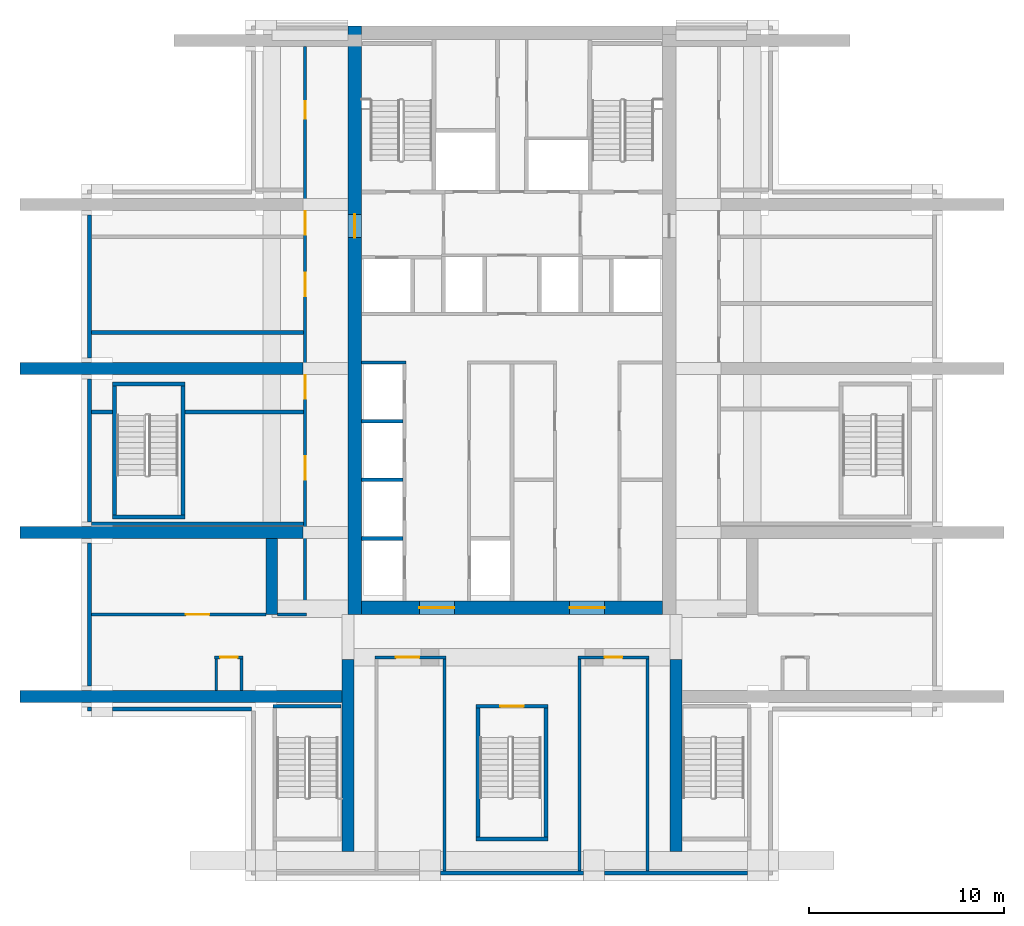
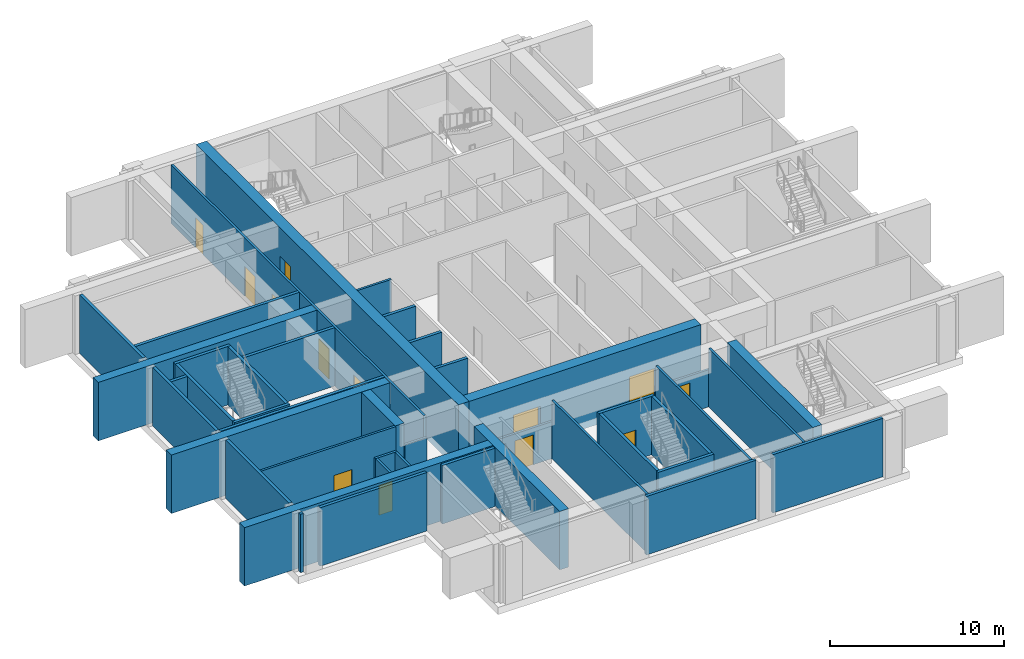
# One storey, part 2 of 10: 43 walls, 13 doors, 13 openings.
"""IFC4 building model written with IfcOpenShell, lengths in metres."""

from ifc_helpers import new_model, si_unit, direction, frame, frame_2d, origin, place, context, subcontext, project, spatial, rectangle, extrude, material, layer, layer_set, type_object, element, fill, save


model = new_model("IFC4")

# Units and contexts
model_context = context("Model", 3, precision=1e-05, world=origin(), true_north=direction((0.0, 1.0)))
body_context = subcontext(model_context, "Body", "Model", "MODEL_VIEW")
ifc_project = project(units=[si_unit("LENGTHUNIT", "METRE"), si_unit("AREAUNIT", "SQUARE_METRE"), si_unit("VOLUMEUNIT", "CUBIC_METRE"), si_unit("PLANEANGLEUNIT", "RADIAN"), si_unit("MASSUNIT", "GRAM", prefix="KILO")], contexts=[model_context])

# Site, building, storey
site_placement = place(None, origin())
site = spatial("IfcSite", under=ifc_project, at=site_placement, CompositionType="ELEMENT")
building_placement = place(site_placement, origin())
building = spatial("IfcBuilding", under=site, at=building_placement, Name="Vermilion Ogive Tower", CompositionType="ELEMENT")
storey_placement = place(building_placement, frame((0.0, 0.0, 171.050048828125)))
storey = spatial("IfcBuildingStorey", under=building, at=storey_placement, Name="L44", CompositionType="ELEMENT", Elevation=171.050048828125)

# Wall, openings, doors
ifc_material_1 = material(Name="Concrete B60", Category="concrete")
ifc_layer_1 = layer(ifc_material_1, 0.699951171875)
ifc_layer_set_1 = layer_set([ifc_layer_1], Name="Core wall 700 B60")
wall_type_1 = type_object("IfcWallType", Name="Core wall 700 B60", PredefinedType="SHEAR", material=ifc_layer_set_1)
wall_1_placement = place(storey_placement, frame((-7.699951171875, -8.050048828125, -0.5), z_axis=(0.0, 0.0, 1.0), x_axis=(1.0, 0.0, 0.0)))
wall_1 = element("IfcWall", 1, at=wall_1_placement, inside=storey, type_object=wall_type_1, Name="L44-CORE-S", PredefinedType="SHEAR", context=body_context, shape_type="SweptSolid", body=[
    extrude(rectangle(XDim=15.39990234375, YDim=0.699951171875, at=frame_2d((7.699951171875, 0.0))), origin(), (0.0, 0.0, 1.0), 4.599853515625),
])
opening_1_placement = place(wall_1_placement, frame((2.949951171875, 0.0, 0.5)))
opening_1 = element("IfcOpeningElement", 2, at=opening_1_placement, cuts=wall_1, Name="Opening DBE003", PredefinedType="OPENING", context=body_context, shape_type="SweptSolid", body=[
    extrude(rectangle(XDim=1.800048828125, YDim=2.10009765625, at=frame_2d((0.89990234375, 1.050048828125))), frame((0.0, 0.35986328125, 0.0), z_axis=(0.0, -1.0, 0.0), x_axis=(1.0, 0.0, 0.0)), (0.0, 0.0, 1.0), 0.719970703125),
])
opening_2_placement = place(wall_1_placement, frame((10.64990234375, 0.0, 0.5)))
opening_2 = element("IfcOpeningElement", 3, at=opening_2_placement, cuts=wall_1, Name="Opening DBE004", PredefinedType="OPENING", context=body_context, shape_type="SweptSolid", body=[
    extrude(rectangle(XDim=1.800048828125, YDim=2.10009765625, at=frame_2d((0.89990234375, 1.050048828125))), frame((0.0, 0.35986328125, 0.0), z_axis=(0.0, -1.0, 0.0), x_axis=(1.0, 0.0, 0.0)), (0.0, 0.0, 1.0), 0.719970703125),
])
ifc_material_2 = material(Name="Timber door leaf", Category="wood")
door_type_1 = type_object("IfcDoorType", Name="Core entry door 1800 x 2100 FD60S", OperationType="DOUBLE_DOOR_SINGLE_SWING", PredefinedType="DOOR", material=ifc_material_2)
door_1_placement = place(opening_1_placement, origin())
door_1 = element("IfcDoor", 4, at=door_1_placement, inside=storey, type_object=door_type_1, Name="L44-CK-XD1", OperationType="SINGLE_SWING_LEFT", OverallHeight=2.10009765625, OverallWidth=1.800048828125, PredefinedType="DOOR", context=body_context, shape_type="SweptSolid", body=[
    extrude(rectangle(XDim=1.800048828125, YDim=2.10009765625, at=frame_2d((0.89990234375, 1.050048828125))), frame((0.0, 0.02490234375, 0.0), z_axis=(0.0, -1.0, 0.0), x_axis=(1.0, 0.0, 0.0)), (0.0, 0.0, 1.0), 0.050048828125),
])
fill(opening_1, door_1)
door_2_placement = place(opening_2_placement, origin())
door_2 = element("IfcDoor", 5, at=door_2_placement, inside=storey, type_object=door_type_1, Name="L44-CK-XD2", OperationType="SINGLE_SWING_LEFT", OverallHeight=2.10009765625, OverallWidth=1.800048828125, PredefinedType="DOOR", context=body_context, shape_type="SweptSolid", body=[
    extrude(rectangle(XDim=1.800048828125, YDim=2.10009765625, at=frame_2d((0.89990234375, 1.050048828125))), frame((0.0, 0.02490234375, 0.0), z_axis=(0.0, -1.0, 0.0), x_axis=(1.0, 0.0, 0.0)), (0.0, 0.0, 1.0), 0.050048828125),
])
fill(opening_2, door_2)

# Walls
ifc_material_3 = material(Name="Concrete B60", Category="concrete")
ifc_layer_2 = layer(ifc_material_3, 0.60009765625)
ifc_layer_set_2 = layer_set([ifc_layer_2], Name="Outrigger wall 600 B60")
wall_type_2 = type_object("IfcWallType", Name="Outrigger wall 600 B60", PredefinedType="SHEAR", material=ifc_layer_set_2)
wall_2_placement = place(storey_placement, frame((-8.550048828125, -12.60009765625, 0.0), z_axis=(0.0, 0.0, 1.0), x_axis=(-1.0, 0.0, 0.0)))
element("IfcWall", 6, at=wall_2_placement, inside=storey, type_object=wall_type_2, Name="L44-OW-EWW-12.6", PredefinedType="SHEAR", context=body_context, shape_type="SweptSolid", body=[
    extrude(rectangle(XDim=16.64990234375, YDim=0.60009765625, at=frame_2d((8.324951171875, 0.0))), origin(), (0.0, 0.0, 1.0), 4.099853515625),
])
for number, where, z_axis, x_axis, name in (
    (7, (-10.699951171875, -4.199951171875, 0.0), (0.0, 0.0, 1.0), (-1.0, 0.0, 0.0), "L44-OW-EWW-4.2"),
    (8, (-10.699951171875, 4.199951171875, 0.0), (0.0, 0.0, 1.0), (-1.0, 0.0, 0.0), "L44-OW-EWW+4.2"),
):
    element("IfcWall", number, at=place(storey_placement, frame(where, z_axis=z_axis, x_axis=x_axis)), inside=storey, type_object=wall_type_2, Name=name, PredefinedType="SHEAR", context=body_context, shape_type="SweptSolid", body=[
        extrude(rectangle(XDim=14.5, YDim=0.60009765625, at=frame_2d((7.25, 0.0))), origin(), (0.0, 0.0, 1.0), 4.099853515625),
    ])

# Wall, opening, door
ifc_material_4 = material(Name="Gypsum board partition on steel studs", Category="steel")
ifc_layer_3 = layer(ifc_material_4, 0.14990234375)
ifc_layer_set_3 = layer_set([ifc_layer_3], Name="Partition 150 corridor")
wall_type_3 = type_object("IfcWallType", Name="Partition 150 corridor", PredefinedType="PARTITIONING", material=ifc_layer_set_3)
wall_3_placement = place(storey_placement, frame((-15.22509765625, -10.60009765625, 0.0), z_axis=(0.0, 0.0, 1.0), x_axis=(1.0, 0.0, 0.0)))
wall_3 = element("IfcWall", 9, at=wall_3_placement, inside=storey, type_object=wall_type_3, Name="L44-FS-W-W001", PredefinedType="PARTITIONING", context=body_context, shape_type="SweptSolid", body=[
    extrude(rectangle(XDim=1.4501953125, YDim=0.14990234375, at=frame_2d((0.72509765625, 0.0))), origin(), (0.0, 0.0, 1.0), 4.099853515625),
])
opening_3_placement = place(wall_3_placement, frame((0.275146484375, 0.0, 0.0)))
opening_3 = element("IfcOpeningElement", 10, at=opening_3_placement, cuts=wall_3, Name="Opening L44S012", PredefinedType="OPENING", context=body_context, shape_type="SweptSolid", body=[
    extrude(rectangle(XDim=0.89990234375, YDim=2.10009765625, at=frame_2d((0.449951171875, 1.050048828125))), frame((0.0, 0.0849609375, 0.0), z_axis=(0.0, -1.0, 0.0), x_axis=(1.0, 0.0, 0.0)), (0.0, 0.0, 1.0), 0.169921875),
])
ifc_material_5 = material(Name="Timber door leaf", Category="wood")
door_type_2 = type_object("IfcDoorType", Name="Room door 900 x 2100 FD30", OperationType="SINGLE_SWING_LEFT", PredefinedType="DOOR", material=ifc_material_5)
door_3_placement = place(opening_3_placement, origin())
door_3 = element("IfcDoor", 11, at=door_3_placement, inside=storey, type_object=door_type_2, Name="L44-FS-D-D012", OperationType="SINGLE_SWING_RIGHT", OverallHeight=2.10009765625, OverallWidth=0.89990234375, PredefinedType="DOOR", context=body_context, shape_type="SweptSolid", body=[
    extrude(rectangle(XDim=0.89990234375, YDim=2.10009765625, at=frame_2d((0.449951171875, 1.050048828125))), frame((0.0, 0.02490234375, 0.0), z_axis=(0.0, -1.0, 0.0), x_axis=(1.0, 0.0, 0.0)), (0.0, 0.0, 1.0), 0.050048828125),
])
fill(opening_3, door_3)

wall_4_placement = place(storey_placement, frame((-7.02490234375, -10.60009765625, 0.0), z_axis=(0.0, 0.0, 1.0), x_axis=(1.0, 0.0, 0.0)))
wall_4 = element("IfcWall", 12, at=wall_4_placement, inside=storey, type_object=wall_type_3, Name="L44-FS-W-W002", PredefinedType="PARTITIONING", context=body_context, shape_type="SweptSolid", body=[
    extrude(rectangle(XDim=3.64990234375, YDim=0.14990234375, at=frame_2d((1.824951171875, 0.0))), origin(), (0.0, 0.0, 1.0), 2.599853515625),
])
opening_4_placement = place(wall_4_placement, frame((1.074951171875, 0.0, 0.0)))
opening_4 = element("IfcOpeningElement", 13, at=opening_4_placement, cuts=wall_4, Name="Opening L44S011", PredefinedType="OPENING", context=body_context, shape_type="SweptSolid", body=[
    extrude(rectangle(XDim=1.199951171875, YDim=2.10009765625, at=frame_2d((0.60009765625, 1.050048828125))), frame((0.0, 0.0849609375, 0.0), z_axis=(0.0, -1.0, 0.0), x_axis=(1.0, 0.0, 0.0)), (0.0, 0.0, 1.0), 0.169921875),
])
ifc_material_6 = material(Name="Timber door leaf", Category="wood")
door_type_3 = type_object("IfcDoorType", Name="Room door 1200 x 2100 FD30", OperationType="SINGLE_SWING_LEFT", PredefinedType="DOOR", material=ifc_material_6)
door_4_placement = place(opening_4_placement, origin())
door_4 = element("IfcDoor", 14, at=door_4_placement, inside=storey, type_object=door_type_3, Name="L44-FS-D-D011", OperationType="SINGLE_SWING_LEFT", OverallHeight=2.10009765625, OverallWidth=1.199951171875, PredefinedType="DOOR", context=body_context, shape_type="SweptSolid", body=[
    extrude(rectangle(XDim=1.199951171875, YDim=2.10009765625, at=frame_2d((0.60009765625, 1.050048828125))), frame((0.0, 0.02490234375, 0.0), z_axis=(0.0, -1.0, 0.0), x_axis=(1.0, 0.0, 0.0)), (0.0, 0.0, 1.0), 0.050048828125),
])
fill(opening_4, door_4)

wall_5_placement = place(storey_placement, frame((3.375, -10.60009765625, 0.0), z_axis=(0.0, 0.0, 1.0), x_axis=(1.0, 0.0, 0.0)))
wall_5 = element("IfcWall", 15, at=wall_5_placement, inside=storey, type_object=wall_type_3, Name="L44-FS-W-W003", PredefinedType="PARTITIONING", context=body_context, shape_type="SweptSolid", body=[
    extrude(rectangle(XDim=3.64990234375, YDim=0.14990234375, at=frame_2d((1.824951171875, 0.0))), origin(), (0.0, 0.0, 1.0), 2.599853515625),
])
opening_5_placement = place(wall_5_placement, frame((1.375, 0.0, 0.0)))
opening_5 = element("IfcOpeningElement", 16, at=opening_5_placement, cuts=wall_5, Name="Opening L44S014", PredefinedType="OPENING", context=body_context, shape_type="SweptSolid", body=[
    extrude(rectangle(XDim=0.89990234375, YDim=2.10009765625, at=frame_2d((0.449951171875, 1.050048828125))), frame((0.0, 0.0849609375, 0.0), z_axis=(0.0, -1.0, 0.0), x_axis=(1.0, 0.0, 0.0)), (0.0, 0.0, 1.0), 0.169921875),
])
door_5_placement = place(opening_5_placement, origin())
door_5 = element("IfcDoor", 17, at=door_5_placement, inside=storey, type_object=door_type_2, Name="L44-FS-D-D014", OperationType="SINGLE_SWING_RIGHT", OverallHeight=2.10009765625, OverallWidth=0.89990234375, PredefinedType="DOOR", context=body_context, shape_type="SweptSolid", body=[
    extrude(rectangle(XDim=0.89990234375, YDim=2.10009765625, at=frame_2d((0.449951171875, 1.050048828125))), frame((0.0, 0.02490234375, 0.0), z_axis=(0.0, -1.0, 0.0), x_axis=(1.0, 0.0, 0.0)), (0.0, 0.0, 1.0), 0.050048828125),
])
fill(opening_5, door_5)

wall_6_placement = place(storey_placement, frame((-21.550048828125, -8.39990234375, 0.0), z_axis=(0.0, 0.0, 1.0), x_axis=(1.0, 0.0, 0.0)))
wall_6 = element("IfcWall", 18, at=wall_6_placement, inside=storey, type_object=wall_type_3, Name="L44-FS-W-W005a", PredefinedType="PARTITIONING", context=body_context, shape_type="SweptSolid", body=[
    extrude(rectangle(XDim=8.948974609375, YDim=0.14990234375, at=frame_2d((4.474609375, 0.0))), origin(), (0.0, 0.0, 1.0), 4.099853515625),
])
opening_6_placement = place(wall_6_placement, frame((4.85009765625, 0.0, 0.0)))
opening_6 = element("IfcOpeningElement", 19, at=opening_6_placement, cuts=wall_6, Name="Opening L44S001", PredefinedType="OPENING", context=body_context, shape_type="SweptSolid", body=[
    extrude(rectangle(XDim=1.199951171875, YDim=2.10009765625, at=frame_2d((0.60009765625, 1.050048828125))), frame((0.0, 0.0849609375, 0.0), z_axis=(0.0, -1.0, 0.0), x_axis=(1.0, 0.0, 0.0)), (0.0, 0.0, 1.0), 0.169921875),
])
ifc_material_7 = material(Name="Timber door leaf", Category="wood")
door_type_4 = type_object("IfcDoorType", Name="Fire door 1200 x 2100 FD30", OperationType="SINGLE_SWING_LEFT", PredefinedType="DOOR", material=ifc_material_7)
door_6_placement = place(opening_6_placement, origin())
door_6 = element("IfcDoor", 20, at=door_6_placement, inside=storey, type_object=door_type_4, Name="L44-FS-D-D001", OperationType="SINGLE_SWING_LEFT", OverallHeight=2.10009765625, OverallWidth=1.199951171875, PredefinedType="DOOR", context=body_context, shape_type="SweptSolid", body=[
    extrude(rectangle(XDim=1.199951171875, YDim=2.10009765625, at=frame_2d((0.60009765625, 1.050048828125))), frame((0.0, 0.02490234375, 0.0), z_axis=(0.0, -1.0, 0.0), x_axis=(1.0, 0.0, 0.0)), (0.0, 0.0, 1.0), 0.050048828125),
])
fill(opening_6, door_6)

# Walls
wall_7_placement = place(storey_placement, frame((-11.9990234375, -8.39990234375, 0.0), z_axis=(0.0, 0.0, 1.0), x_axis=(1.0, 0.0, 0.0)))
element("IfcWall", 21, at=wall_7_placement, inside=storey, type_object=wall_type_3, Name="L44-FS-W-W005b", PredefinedType="PARTITIONING", context=body_context, shape_type="SweptSolid", body=[
    extrude(rectangle(XDim=1.47412109375, YDim=0.14990234375, at=frame_2d((0.737060546875, 0.0))), origin(), (0.0, 0.0, 1.0), 2.599853515625),
])
for number, where, z_axis, x_axis, name in (
    (22, (-15.14990234375, -12.299072265625, 0.0), (0.0, 0.0, 1.0), (0.0, 1.0, 0.0), "L44-FS-W-W019"),
    (23, (-13.85009765625, -12.299072265625, 0.0), (0.0, 0.0, 1.0), (0.0, 1.0, 0.0), "L44-FS-W-W020"),
):
    element("IfcWall", number, at=place(storey_placement, frame(where, z_axis=z_axis, x_axis=x_axis)), inside=storey, type_object=wall_type_3, Name=name, PredefinedType="PARTITIONING", context=body_context, shape_type="SweptSolid", body=[
        extrude(rectangle(XDim=1.6240234375, YDim=0.14990234375, at=frame_2d((0.81201171875, 0.0))), origin(), (0.0, 0.0, 1.0), 4.099853515625),
    ])

# Wall, openings, doors
wall_8_placement = place(storey_placement, frame((-10.60009765625, -8.324951171875, 0.0), z_axis=(0.0, 0.0, 1.0), x_axis=(0.0, 1.0, 0.0)))
wall_8 = element("IfcWall", 24, at=wall_8_placement, inside=storey, type_object=wall_type_3, Name="L44-FS-W-W021", PredefinedType="PARTITIONING", context=body_context, shape_type="SweptSolid", body=[
    extrude(rectangle(XDim=29.02392578125, YDim=0.14990234375, at=frame_2d((14.511962890625, 0.0))), origin(), (0.0, 0.0, 1.0), 4.099853515625),
])
opening_7_placement = place(wall_8_placement, frame((6.83349609375, 0.0, 0.0)))
opening_7 = element("IfcOpeningElement", 25, at=opening_7_placement, cuts=wall_8, Name="Opening L44S003", PredefinedType="OPENING", context=body_context, shape_type="SweptSolid", body=[
    extrude(rectangle(XDim=1.199951171875, YDim=2.10009765625, at=frame_2d((0.60009765625, 1.050048828125))), frame((0.0, 0.0849609375, 0.0), z_axis=(0.0, -1.0, 0.0), x_axis=(1.0, 0.0, 0.0)), (0.0, 0.0, 1.0), 0.169921875),
])
opening_8_placement = place(wall_8_placement, frame((10.9833984375, 0.0, 0.0)))
opening_8 = element("IfcOpeningElement", 26, at=opening_8_placement, cuts=wall_8, Name="Opening L44S004", PredefinedType="OPENING", context=body_context, shape_type="SweptSolid", body=[
    extrude(rectangle(XDim=1.199951171875, YDim=2.10009765625, at=frame_2d((0.60009765625, 1.050048828125))), frame((0.0, 0.0849609375, 0.0), z_axis=(0.0, -1.0, 0.0), x_axis=(1.0, 0.0, 0.0)), (0.0, 0.0, 1.0), 0.169921875),
])
opening_9_placement = place(wall_8_placement, frame((16.224853515625, 0.0, 0.0)))
opening_9 = element("IfcOpeningElement", 27, at=opening_9_placement, cuts=wall_8, Name="Opening L44S005", PredefinedType="OPENING", context=body_context, shape_type="SweptSolid", body=[
    extrude(rectangle(XDim=1.199951171875, YDim=2.10009765625, at=frame_2d((0.60009765625, 1.050048828125))), frame((0.0, 0.0849609375, 0.0), z_axis=(0.0, -1.0, 0.0), x_axis=(1.0, 0.0, 0.0)), (0.0, 0.0, 1.0), 0.169921875),
])
opening_10_placement = place(wall_8_placement, frame((19.375, 0.0, 0.0)))
opening_10 = element("IfcOpeningElement", 28, at=opening_10_placement, cuts=wall_8, Name="Opening L44S006", PredefinedType="OPENING", context=body_context, shape_type="SweptSolid", body=[
    extrude(rectangle(XDim=1.199951171875, YDim=2.10009765625, at=frame_2d((0.60009765625, 1.050048828125))), frame((0.0, 0.0849609375, 0.0), z_axis=(0.0, -1.0, 0.0), x_axis=(1.0, 0.0, 0.0)), (0.0, 0.0, 1.0), 0.169921875),
])
opening_11_placement = place(wall_8_placement, frame((25.324951171875, 0.0, 0.0)))
opening_11 = element("IfcOpeningElement", 29, at=opening_11_placement, cuts=wall_8, Name="Opening L44S013", PredefinedType="OPENING", context=body_context, shape_type="SweptSolid", body=[
    extrude(rectangle(XDim=0.89990234375, YDim=2.10009765625, at=frame_2d((0.449951171875, 1.050048828125))), frame((0.0, 0.0849609375, 0.0), z_axis=(0.0, -1.0, 0.0), x_axis=(1.0, 0.0, 0.0)), (0.0, 0.0, 1.0), 0.169921875),
])
door_7_placement = place(opening_7_placement, origin())
door_7 = element("IfcDoor", 30, at=door_7_placement, inside=storey, type_object=door_type_3, Name="L44-FS-D-D003", OperationType="SINGLE_SWING_LEFT", OverallHeight=2.10009765625, OverallWidth=1.199951171875, PredefinedType="DOOR", context=body_context, shape_type="SweptSolid", body=[
    extrude(rectangle(XDim=1.199951171875, YDim=2.10009765625, at=frame_2d((0.60009765625, 1.050048828125))), frame((0.0, 0.02490234375, 0.0), z_axis=(0.0, -1.0, 0.0), x_axis=(1.0, 0.0, 0.0)), (0.0, 0.0, 1.0), 0.050048828125),
])
fill(opening_7, door_7)
door_8_placement = place(opening_8_placement, origin())
door_8 = element("IfcDoor", 31, at=door_8_placement, inside=storey, type_object=door_type_3, Name="L44-FS-D-D004", OperationType="SINGLE_SWING_RIGHT", OverallHeight=2.10009765625, OverallWidth=1.199951171875, PredefinedType="DOOR", context=body_context, shape_type="SweptSolid", body=[
    extrude(rectangle(XDim=1.199951171875, YDim=2.10009765625, at=frame_2d((0.60009765625, 1.050048828125))), frame((0.0, 0.02490234375, 0.0), z_axis=(0.0, -1.0, 0.0), x_axis=(1.0, 0.0, 0.0)), (0.0, 0.0, 1.0), 0.050048828125),
])
fill(opening_8, door_8)
door_9_placement = place(opening_9_placement, origin())
door_9 = element("IfcDoor", 32, at=door_9_placement, inside=storey, type_object=door_type_3, Name="L44-FS-D-D005", OperationType="SINGLE_SWING_LEFT", OverallHeight=2.10009765625, OverallWidth=1.199951171875, PredefinedType="DOOR", context=body_context, shape_type="SweptSolid", body=[
    extrude(rectangle(XDim=1.199951171875, YDim=2.10009765625, at=frame_2d((0.60009765625, 1.050048828125))), frame((0.0, 0.02490234375, 0.0), z_axis=(0.0, -1.0, 0.0), x_axis=(1.0, 0.0, 0.0)), (0.0, 0.0, 1.0), 0.050048828125),
])
fill(opening_9, door_9)
door_10_placement = place(opening_10_placement, origin())
door_10 = element("IfcDoor", 33, at=door_10_placement, inside=storey, type_object=door_type_3, Name="L44-FS-D-D006", OperationType="SINGLE_SWING_LEFT", OverallHeight=2.10009765625, OverallWidth=1.199951171875, PredefinedType="DOOR", context=body_context, shape_type="SweptSolid", body=[
    extrude(rectangle(XDim=1.199951171875, YDim=2.10009765625, at=frame_2d((0.60009765625, 1.050048828125))), frame((0.0, 0.02490234375, 0.0), z_axis=(0.0, -1.0, 0.0), x_axis=(1.0, 0.0, 0.0)), (0.0, 0.0, 1.0), 0.050048828125),
])
fill(opening_10, door_10)
door_11_placement = place(opening_11_placement, origin())
door_11 = element("IfcDoor", 34, at=door_11_placement, inside=storey, type_object=door_type_2, Name="L44-FS-D-D013", OperationType="SINGLE_SWING_LEFT", OverallHeight=2.10009765625, OverallWidth=0.89990234375, PredefinedType="DOOR", context=body_context, shape_type="SweptSolid", body=[
    extrude(rectangle(XDim=0.89990234375, YDim=2.10009765625, at=frame_2d((0.449951171875, 1.050048828125))), frame((0.0, 0.02490234375, 0.0), z_axis=(0.0, -1.0, 0.0), x_axis=(1.0, 0.0, 0.0)), (0.0, 0.0, 1.0), 0.050048828125),
])
fill(opening_11, door_11)

# Walls
for number, where, z_axis, x_axis, name in (
    (35, (-3.449951171875, -21.550048828125, 0.0), (0.0, 0.0, 1.0), (0.0, 1.0, 0.0), "L44-FS-W-W023"),
    (36, (3.449951171875, -21.550048828125, 0.0), (0.0, 0.0, 1.0), (0.0, 1.0, 0.0), "L44-FS-W-W024"),
    (37, (6.949951171875, -21.550048828125, 0.0), (0.0, 0.0, 1.0), (0.0, 1.0, 0.0), "L44-FS-W-W025"),
):
    element("IfcWall", number, at=place(storey_placement, frame(where, z_axis=z_axis, x_axis=x_axis)), inside=storey, type_object=wall_type_3, Name=name, PredefinedType="PARTITIONING", context=body_context, shape_type="SweptSolid", body=[
        extrude(rectangle(XDim=10.875, YDim=0.14990234375, at=frame_2d((5.4375, 0.0))), origin(), (0.0, 0.0, 1.0), 4.099853515625),
    ])
wall_9_placement = place(storey_placement, frame((-7.698974609375, 4.5, 0.0), z_axis=(0.0, 0.0, 1.0), x_axis=(1.0, 0.0, 0.0)))
element("IfcWall", 38, at=wall_9_placement, inside=storey, type_object=wall_type_3, Name="L44-CK-W-W007", PredefinedType="PARTITIONING", context=body_context, shape_type="SweptSolid", body=[
    extrude(rectangle(XDim=2.27392578125, YDim=0.14990234375, at=frame_2d((1.136962890625, 0.0))), origin(), (0.0, 0.0, 1.0), 4.099853515625),
])
ifc_material_8 = material(Name="Gypsum board partition on steel studs", Category="steel")
ifc_layer_4 = layer(ifc_material_8, 0.199951171875)
ifc_layer_set_4 = layer_set([ifc_layer_4], Name="Partition 200 party")
wall_type_4 = type_object("IfcWallType", Name="Partition 200 party", PredefinedType="PARTITIONING", material=ifc_layer_set_4)
wall_10_placement = place(storey_placement, frame((-21.550048828125, -3.75, 0.0), z_axis=(0.0, 0.0, 1.0), x_axis=(1.0, 0.0, 0.0)))
element("IfcWall", 39, at=wall_10_placement, inside=storey, type_object=wall_type_4, Name="L44-FS-W-W007", PredefinedType="PARTITIONING", context=body_context, shape_type="SweptSolid", body=[
    extrude(rectangle(XDim=10.875, YDim=0.199951171875, at=frame_2d((5.4375, 0.0))), origin(), (0.0, 0.0, 1.0), 4.099853515625),
])
wall_11_placement = place(storey_placement, frame((-21.550048828125, 1.967041015625, 0.0), z_axis=(0.0, 0.0, 1.0), x_axis=(1.0, 0.0, 0.0)))
element("IfcWall", 40, at=wall_11_placement, inside=storey, type_object=wall_type_4, Name="L44-FS-W-W009", PredefinedType="PARTITIONING", context=body_context, shape_type="SweptSolid", body=[
    extrude(rectangle(XDim=1.10009765625, YDim=0.199951171875, at=frame_2d((0.550048828125, 0.0))), origin(), (0.0, 0.0, 1.0), 4.099853515625),
])
wall_12_placement = place(storey_placement, frame((-16.75, 1.967041015625, 0.0), z_axis=(0.0, 0.0, 1.0), x_axis=(1.0, 0.0, 0.0)))
element("IfcWall", 41, at=wall_12_placement, inside=storey, type_object=wall_type_4, Name="L44-FS-W-W010", PredefinedType="PARTITIONING", context=body_context, shape_type="SweptSolid", body=[
    extrude(rectangle(XDim=6.074951171875, YDim=0.199951171875, at=frame_2d((3.03759765625, 0.0))), origin(), (0.0, 0.0, 1.0), 4.099853515625),
])
wall_13_placement = place(storey_placement, frame((-21.550048828125, 6.050048828125, 0.0), z_axis=(0.0, 0.0, 1.0), x_axis=(1.0, 0.0, 0.0)))
element("IfcWall", 42, at=wall_13_placement, inside=storey, type_object=wall_type_4, Name="L44-FS-W-W013", PredefinedType="PARTITIONING", context=body_context, shape_type="SweptSolid", body=[
    extrude(rectangle(XDim=10.875, YDim=0.199951171875, at=frame_2d((5.4375, 0.0))), origin(), (0.0, 0.0, 1.0), 4.099853515625),
])
for number, where, z_axis, x_axis, name in (
    (43, (-7.698974609375, -4.5, 0.0), (0.0, 0.0, 1.0), (1.0, 0.0, 0.0), "L44-CK-W-W001"),
    (44, (-7.698974609375, -1.5, 0.0), (0.0, 0.0, 1.0), (1.0, 0.0, 0.0), "L44-CK-W-W003"),
    (45, (-7.698974609375, 1.5, 0.0), (0.0, 0.0, 1.0), (1.0, 0.0, 0.0), "L44-CK-W-W006"),
):
    element("IfcWall", number, at=place(storey_placement, frame(where, z_axis=z_axis, x_axis=x_axis)), inside=storey, type_object=wall_type_4, Name=name, PredefinedType="PARTITIONING", context=body_context, shape_type="SweptSolid", body=[
        extrude(rectangle(XDim=2.1240234375, YDim=0.199951171875, at=frame_2d((1.06201171875, 0.0))), origin(), (0.0, 0.0, 1.0), 4.099853515625),
    ])
ifc_material_9 = material(Name="Aluminium louvre panels", Category="aluminium")
ifc_layer_5 = layer(ifc_material_9, 0.199951171875)
ifc_layer_set_5 = layer_set([ifc_layer_5], Name="Plant louvre wall")
wall_type_5 = type_object("IfcWallType", Name="Plant louvre wall", PredefinedType="STANDARD", material=ifc_layer_set_5)
wall_14_placement = place(storey_placement, frame((-3.64990234375, -21.64990234375, 0.0), z_axis=(0.0, 0.0, 1.0), x_axis=(1.0, 0.0, 0.0)))
element("IfcWall", 46, at=wall_14_placement, inside=storey, type_object=wall_type_5, Name="Window wall S2", PredefinedType="STANDARD", context=body_context, shape_type="SweptSolid", body=[
    extrude(rectangle(XDim=7.2998046875, YDim=0.199951171875, at=frame_2d((3.64990234375, 0.0))), origin(), (0.0, 0.0, 1.0), 4.099853515625),
])
for number, where, z_axis, x_axis, name in (
    (47, (4.75, -21.64990234375, 0.0), (0.0, 0.0, 1.0), (1.0, 0.0, 0.0), "Window wall S3"),
    (48, (-21.64990234375, 12.050048828125, 0.0), (0.0, 0.0, 1.0), (0.0, -1.0, 0.0), "Window wall W1"),
):
    element("IfcWall", number, at=place(storey_placement, frame(where, z_axis=z_axis, x_axis=x_axis)), inside=storey, type_object=wall_type_5, Name=name, PredefinedType="STANDARD", context=body_context, shape_type="SweptSolid", body=[
        extrude(rectangle(XDim=7.300048828125, YDim=0.199951171875, at=frame_2d((3.64990234375, 0.0))), origin(), (0.0, 0.0, 1.0), 4.099853515625),
    ])
wall_15_placement = place(storey_placement, frame((-21.64990234375, 3.64990234375, 0.0), z_axis=(0.0, 0.0, 1.0), x_axis=(0.0, -1.0, 0.0)))
element("IfcWall", 49, at=wall_15_placement, inside=storey, type_object=wall_type_5, Name="Window wall W2", PredefinedType="STANDARD", context=body_context, shape_type="SweptSolid", body=[
    extrude(rectangle(XDim=7.2998046875, YDim=0.199951171875, at=frame_2d((3.64990234375, 0.0))), origin(), (0.0, 0.0, 1.0), 4.099853515625),
])
wall_16_placement = place(storey_placement, frame((-21.64990234375, -4.75, 0.0), z_axis=(0.0, 0.0, 1.0), x_axis=(0.0, -1.0, 0.0)))
element("IfcWall", 50, at=wall_16_placement, inside=storey, type_object=wall_type_5, Name="Window wall W3", PredefinedType="STANDARD", context=body_context, shape_type="SweptSolid", body=[
    extrude(rectangle(XDim=7.300048828125, YDim=0.199951171875, at=frame_2d((3.64990234375, 0.0))), origin(), (0.0, 0.0, 1.0), 4.099853515625),
])
wall_17_placement = place(storey_placement, frame((-21.64990234375, -13.14990234375, 0.0), z_axis=(0.0, 0.0, 1.0), x_axis=(0.0, -1.0, 0.0)))
element("IfcWall", 51, at=wall_17_placement, inside=storey, type_object=wall_type_5, Name="Window wall W4", PredefinedType="STANDARD", context=body_context, shape_type="SweptSolid", body=[
    extrude(rectangle(XDim=0.2001953125, YDim=0.199951171875, at=frame_2d((0.10009765625, 0.0))), origin(), (0.0, 0.0, 1.0), 4.099853515625),
])
wall_18_placement = place(storey_placement, frame((-20.449951171875, -13.25, 0.0), z_axis=(0.0, 0.0, 1.0), x_axis=(1.0, 0.0, 0.0)))
element("IfcWall", 52, at=wall_18_placement, inside=storey, type_object=wall_type_5, Name="Window wall X71", PredefinedType="STANDARD", context=body_context, shape_type="SweptSolid", body=[
    extrude(rectangle(XDim=7.099853515625, YDim=0.199951171875, at=frame_2d((3.5498046875, 0.0))), origin(), (0.0, 0.0, 1.0), 4.099853515625),
])

# Wall, opening, door
ifc_material_10 = material(Name="Concrete B60", Category="concrete")
ifc_layer_6 = layer(ifc_material_10, 0.199951171875)
ifc_layer_set_6 = layer_set([ifc_layer_6], Name="Stair shaft wall 200 Concrete B60")
wall_type_6 = type_object("IfcWallType", Name="Stair shaft wall 200 Concrete B60", PredefinedType="SOLIDWALL", material=ifc_layer_set_6)
wall_19_placement = place(storey_placement, frame((-8.050048828125, -8.39990234375, -0.5), z_axis=(0.0, 0.0, 1.0), x_axis=(0.0, 1.0, 0.0)))
wall_19 = element("IfcWall", 53, at=wall_19_placement, inside=storey, type_object=wall_type_6, Name="L44-CORE-W", PredefinedType="SOLIDWALL", context=body_context, shape_type="SweptSolid", body=[
    extrude(rectangle(XDim=30.14990234375, YDim=0.699951171875, at=frame_2d((15.074951171875, 0.0))), origin(), (0.0, 0.0, 1.0), 4.599853515625),
])
opening_12_placement = place(wall_19_placement, frame((19.300048828125, 0.0, 0.5)))
opening_12 = element("IfcOpeningElement", 54, at=opening_12_placement, cuts=wall_19, Name="Opening DBM002", PredefinedType="OPENING", context=body_context, shape_type="SweptSolid", body=[
    extrude(rectangle(XDim=1.199951171875, YDim=2.10009765625, at=frame_2d((0.60009765625, 1.050048828125))), frame((0.0, 0.35986328125, 0.0), z_axis=(0.0, -1.0, 0.0), x_axis=(1.0, 0.0, 0.0)), (0.0, 0.0, 1.0), 0.719970703125),
])
ifc_material_11 = material(Name="Timber door leaf", Category="wood")
door_type_5 = type_object("IfcDoorType", Name="Link door 1200 x 2100 FD60S", OperationType="SINGLE_SWING_LEFT", PredefinedType="DOOR", material=ifc_material_11)
door_12_placement = place(opening_12_placement, origin())
door_12 = element("IfcDoor", 55, at=door_12_placement, inside=storey, type_object=door_type_5, Name="L44-CK-XD3", OperationType="SINGLE_SWING_LEFT", OverallHeight=2.10009765625, OverallWidth=1.199951171875, PredefinedType="DOOR", context=body_context, shape_type="SweptSolid", body=[
    extrude(rectangle(XDim=1.199951171875, YDim=2.10009765625, at=frame_2d((0.60009765625, 1.050048828125))), frame((0.0, 0.02490234375, 0.0), z_axis=(0.0, -1.0, 0.0), x_axis=(1.0, 0.0, 0.0)), (0.0, 0.0, 1.0), 0.050048828125),
])
fill(opening_12, door_12)

# Walls
for number, where, z_axis, x_axis, name in (
    (56, (-8.39990234375, -20.550048828125, 0.0), (0.0, 0.0, 1.0), (0.0, 1.0, 0.0), "L44-OW-NS-8.4"),
    (57, (8.39990234375, -20.550048828125, 0.0), (0.0, 0.0, 1.0), (0.0, 1.0, 0.0), "L44-OW-NS+8.4"),
):
    element("IfcWall", number, at=place(storey_placement, frame(where, z_axis=z_axis, x_axis=x_axis)), inside=storey, type_object=wall_type_6, Name=name, PredefinedType="SOLIDWALL", context=body_context, shape_type="SweptSolid", body=[
        extrude(rectangle(XDim=9.85009765625, YDim=0.60009765625, at=frame_2d((4.925048828125, 0.0))), origin(), (0.0, 0.0, 1.0), 4.099853515625),
    ])
wall_20_placement = place(storey_placement, frame((-12.25, -13.10009765625, 0.0), z_axis=(0.0, 0.0, 1.0), x_axis=(1.0, 0.0, 0.0)))
element("IfcWall", 58, at=wall_20_placement, inside=storey, type_object=wall_type_6, Name="L44-SW-ST3-N1", PredefinedType="SOLIDWALL", context=body_context, shape_type="SweptSolid", body=[
    extrude(rectangle(XDim=3.5, YDim=0.199951171875, at=frame_2d((1.75, 0.0))), origin(), (0.0, 0.0, 1.0), 4.099853515625),
])
wall_21_placement = place(storey_placement, frame((-1.85009765625, -19.89990234375, 0.0), z_axis=(0.0, 0.0, 1.0), x_axis=(1.0, 0.0, 0.0)))
element("IfcWall", 59, at=wall_21_placement, inside=storey, type_object=wall_type_6, Name="L44-SW-ST4-S1", PredefinedType="SOLIDWALL", context=body_context, shape_type="SweptSolid", body=[
    extrude(rectangle(XDim=3.7001953125, YDim=0.199951171875, at=frame_2d((1.85009765625, 0.0))), origin(), (0.0, 0.0, 1.0), 4.099853515625),
])

# Wall, opening, door
wall_22_placement = place(storey_placement, frame((-1.85009765625, -13.10009765625, 0.0), z_axis=(0.0, 0.0, 1.0), x_axis=(1.0, 0.0, 0.0)))
wall_22 = element("IfcWall", 60, at=wall_22_placement, inside=storey, type_object=wall_type_6, Name="L44-SW-ST4-N1", PredefinedType="SOLIDWALL", context=body_context, shape_type="SweptSolid", body=[
    extrude(rectangle(XDim=3.7001953125, YDim=0.199951171875, at=frame_2d((1.85009765625, 0.0))), origin(), (0.0, 0.0, 1.0), 4.099853515625),
])
opening_13_placement = place(wall_22_placement, frame((1.25, 0.0, 0.0)))
opening_13 = element("IfcOpeningElement", 61, at=opening_13_placement, cuts=wall_22, Name="Opening L44-SD4", PredefinedType="OPENING", context=body_context, shape_type="SweptSolid", body=[
    extrude(rectangle(XDim=1.199951171875, YDim=2.10009765625, at=frame_2d((0.60009765625, 1.050048828125))), frame((0.0, 0.10986328125, 0.0), z_axis=(0.0, -1.0, 0.0), x_axis=(1.0, 0.0, 0.0)), (0.0, 0.0, 1.0), 0.219970703125),
])
ifc_material_12 = material(Name="Timber door leaf", Category="wood")
door_type_6 = type_object("IfcDoorType", Name="Stair door 1200 x 2100 FD60S", OperationType="SINGLE_SWING_LEFT", PredefinedType="DOOR", material=ifc_material_12)
door_13_placement = place(opening_13_placement, origin())
door_13 = element("IfcDoor", 62, at=door_13_placement, inside=storey, type_object=door_type_6, Name="Stair door ST4", OperationType="SINGLE_SWING_LEFT", OverallHeight=2.10009765625, OverallWidth=1.199951171875, PredefinedType="DOOR", context=body_context, shape_type="SweptSolid", body=[
    extrude(rectangle(XDim=1.199951171875, YDim=2.10009765625, at=frame_2d((0.60009765625, 1.050048828125))), frame((0.0, 0.02490234375, 0.0), z_axis=(0.0, -1.0, 0.0), x_axis=(1.0, 0.0, 0.0)), (0.0, 0.0, 1.0), 0.050048828125),
])
fill(opening_13, door_13)

# Walls
for number, where, z_axis, x_axis, name in (
    (63, (-1.75, -19.800048828125, 0.0), (0.0, 0.0, 1.0), (0.0, 1.0, 0.0), "L44-SW-ST4-W1"),
    (64, (1.75, -19.800048828125, 0.0), (0.0, 0.0, 1.0), (0.0, 1.0, 0.0), "L44-SW-ST4-E1"),
):
    element("IfcWall", number, at=place(storey_placement, frame(where, z_axis=z_axis, x_axis=x_axis)), inside=storey, type_object=wall_type_6, Name=name, PredefinedType="SOLIDWALL", context=body_context, shape_type="SweptSolid", body=[
        extrude(rectangle(XDim=6.60009765625, YDim=0.199951171875, at=frame_2d((3.300048828125, 0.0))), origin(), (0.0, 0.0, 1.0), 4.099853515625),
    ])
for number, where, z_axis, x_axis, name in (
    (65, (-20.449951171875, -3.39990234375, 0.0), (0.0, 0.0, 1.0), (1.0, 0.0, 0.0), "L44-SW-ST9-S1"),
    (66, (-20.449951171875, 3.39990234375, 0.0), (0.0, 0.0, 1.0), (1.0, 0.0, 0.0), "L44-SW-ST9-N1"),
):
    element("IfcWall", number, at=place(storey_placement, frame(where, z_axis=z_axis, x_axis=x_axis)), inside=storey, type_object=wall_type_6, Name=name, PredefinedType="SOLIDWALL", context=body_context, shape_type="SweptSolid", body=[
        extrude(rectangle(XDim=3.699951171875, YDim=0.199951171875, at=frame_2d((1.85009765625, 0.0))), origin(), (0.0, 0.0, 1.0), 4.099853515625),
    ])
for number, where, z_axis, x_axis, name in (
    (67, (-20.35009765625, -3.300048828125, 0.0), (0.0, 0.0, 1.0), (0.0, 1.0, 0.0), "L44-SW-ST9-W1"),
    (68, (-16.85009765625, -3.300048828125, 0.0), (0.0, 0.0, 1.0), (0.0, 1.0, 0.0), "L44-SW-ST9-E1"),
):
    element("IfcWall", number, at=place(storey_placement, frame(where, z_axis=z_axis, x_axis=x_axis)), inside=storey, type_object=wall_type_6, Name=name, PredefinedType="SOLIDWALL", context=body_context, shape_type="SweptSolid", body=[
        extrude(rectangle(XDim=6.60009765625, YDim=0.199951171875, at=frame_2d((3.300048828125, 0.0))), origin(), (0.0, 0.0, 1.0), 4.099853515625),
    ])
ifc_material_13 = material(Name="Concrete B60", Category="concrete")
ifc_layer_7 = layer(ifc_material_13, 0.60009765625)
ifc_layer_set_7 = layer_set([ifc_layer_7], Name="Transfer wall 600 B60")
wall_type_7 = type_object("IfcWallType", Name="Transfer wall 600 B60", PredefinedType="SHEAR", material=ifc_layer_set_7)
wall_23_placement = place(storey_placement, frame((-12.300048828125, -8.39990234375, 0.0), z_axis=(0.0, 0.0, 1.0), x_axis=(0.0, 1.0, 0.0)))
element("IfcWall", 69, at=wall_23_placement, inside=storey, type_object=wall_type_7, Name="L44-TW-C2", PredefinedType="SHEAR", context=body_context, shape_type="SweptSolid", body=[
    extrude(rectangle(XDim=3.89501953125, YDim=0.60009765625, at=frame_2d((1.947509765625, 0.0))), origin(), (0.0, 0.0, 1.0), 4.099853515625),
])

save(model, "model.ifc")
